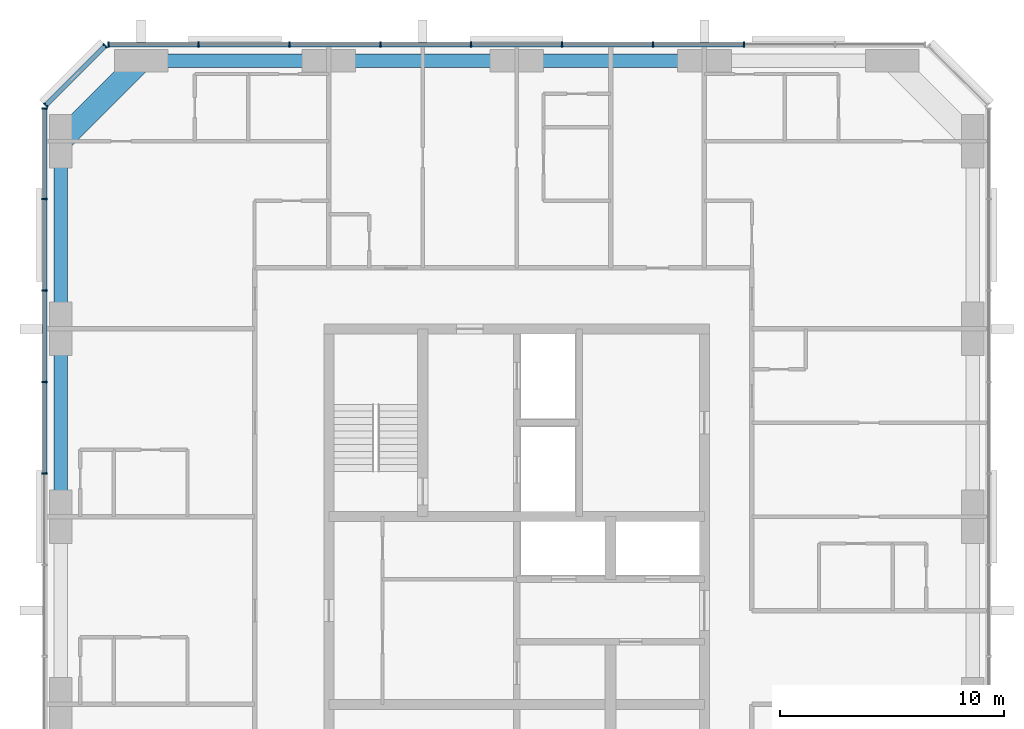
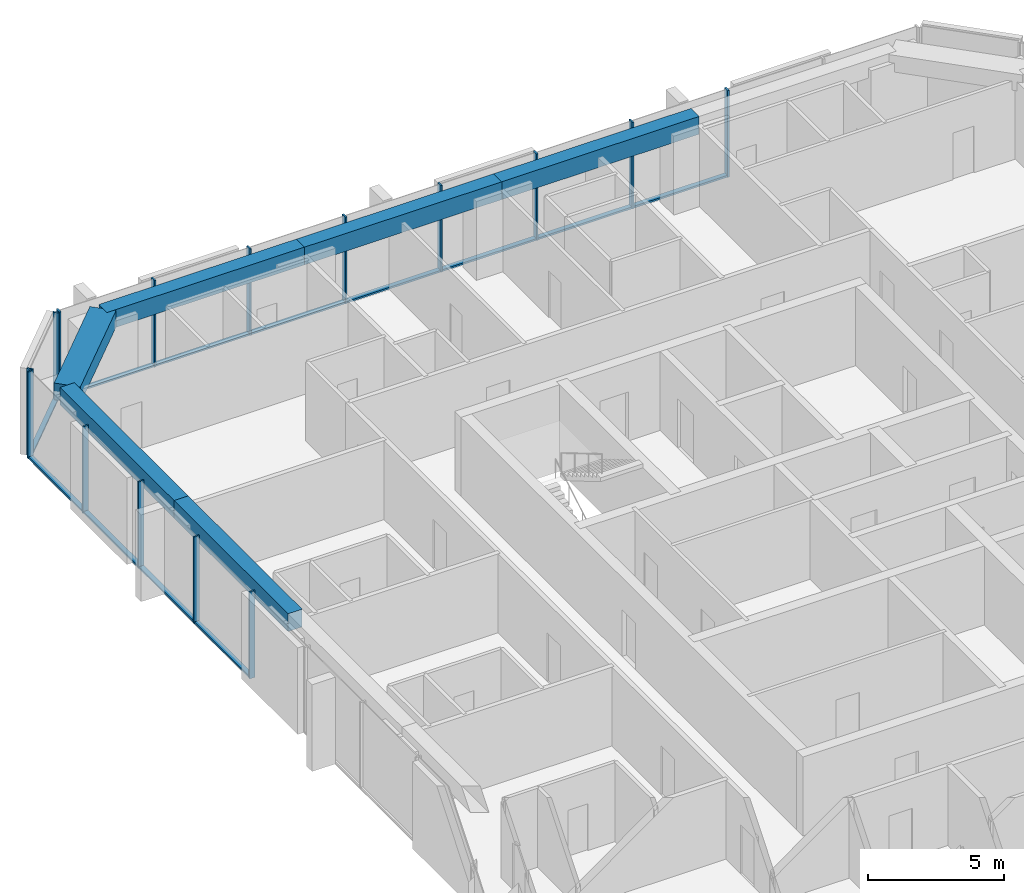
# One storey, part 4 of 12: 27 members, 6 beams, 3 elements without a shape of their own.
"""IFC4 building model written with IfcOpenShell, lengths in metres."""

from ifc_helpers import new_model, si_unit, direction, frame, origin, origin_2d, place, context, subcontext, project, spatial, rectangle, extrude, material, material_profile, profile_set, type_object, element, aggregate, save


model = new_model("IFC4")

# Units and contexts
model_context = context("Model", 3, precision=1e-05, world=origin(), true_north=direction((0.0, 1.0)))
body_context = subcontext(model_context, "Body", "Model", "MODEL_VIEW")
ifc_project = project(units=[si_unit("LENGTHUNIT", "METRE"), si_unit("AREAUNIT", "SQUARE_METRE"), si_unit("VOLUMEUNIT", "CUBIC_METRE"), si_unit("PLANEANGLEUNIT", "RADIAN"), si_unit("MASSUNIT", "GRAM", prefix="KILO")], contexts=[model_context])

# Site, building, storey
site_placement = place(None, origin())
site = spatial("IfcSite", under=ifc_project, at=site_placement, CompositionType="ELEMENT")
building_placement = place(site_placement, origin())
building = spatial("IfcBuilding", under=site, at=building_placement, Name="Dunama Terrace Hotel", CompositionType="ELEMENT")
storey_placement = place(building_placement, frame((0.0, 0.0, 245.10009765625)))
storey = spatial("IfcBuildingStorey", under=building, at=storey_placement, Name="L63", CompositionType="ELEMENT", Elevation=245.10009765625)

# Curtain wall, members
ifc_material_1 = material(Name="Aluminium curtain wall system", Category="aluminium")
curtain_wall_type = type_object("IfcCurtainWallType", Name="Unitised fritted glass wall CW-D", PredefinedType="NOTDEFINED", material=ifc_material_1)
curtain_wall_1_placement = place(storey_placement, origin())
curtain_wall_1 = element("IfcCurtainWall", 1, at=curtain_wall_1_placement, inside=storey, type_object=curtain_wall_type, Name="Unitised fritted glass wall CW-D L63", PredefinedType="NOTDEFINED")
ifc_material_2 = material(Name="Aluminium mullion", Category="aluminium")
ifc_material_profile_1 = material_profile(ifc_material_2, rectangle(XDim=0.070068359375, YDim=0.239990234375, at=origin_2d()), Name="CWD MULLION 70X240")
ifc_profile_set_1 = profile_set([ifc_material_profile_1], Name="Aluminium mullion")
member_type_1 = type_object("IfcMemberType", Name="CWD mullion 70x240", PredefinedType="MULLION", material=ifc_profile_set_1)
member_1_placement = place(storey_placement, frame((43.76708984375, 54.719970703125, 0.0), z_axis=(0.0, 0.0, 1.0), x_axis=(-1.0, 0.0, 0.0)))
member_1 = element("IfcMember", 2, at=member_1_placement, type_object=member_type_1, Name="CWD mullion", PredefinedType="MULLION", context=body_context, shape_type="SweptSolid", body=[
    extrude(rectangle(XDim=0.070068359375, YDim=0.239990234375, at=origin_2d()), origin(), (0.0, 0.0, 1.0), 3.89990234375),
])
member_2_placement = place(storey_placement, frame((39.699951171875, 54.719970703125, 0.0), z_axis=(0.0, 0.0, 1.0), x_axis=(-1.0, 0.0, 0.0)))
member_2 = element("IfcMember", 3, at=member_2_placement, type_object=member_type_1, Name="CWD mullion", PredefinedType="MULLION", context=body_context, shape_type="SweptSolid", body=[
    extrude(rectangle(XDim=0.070068359375, YDim=0.239990234375, at=origin_2d()), origin(), (0.0, 0.0, 1.0), 3.89990234375),
])
member_3_placement = place(storey_placement, frame((35.633056640625, 54.719970703125, 0.0), z_axis=(0.0, 0.0, 1.0), x_axis=(-1.0, 0.0, 0.0)))
member_3 = element("IfcMember", 4, at=member_3_placement, type_object=member_type_1, Name="CWD mullion", PredefinedType="MULLION", context=body_context, shape_type="SweptSolid", body=[
    extrude(rectangle(XDim=0.070068359375, YDim=0.239990234375, at=origin_2d()), origin(), (0.0, 0.0, 1.0), 3.89990234375),
])
member_4_placement = place(storey_placement, frame((31.56689453125, 54.719970703125, 0.0), z_axis=(0.0, 0.0, 1.0), x_axis=(-1.0, 0.0, 0.0)))
member_4 = element("IfcMember", 5, at=member_4_placement, type_object=member_type_1, Name="CWD mullion", PredefinedType="MULLION", context=body_context, shape_type="SweptSolid", body=[
    extrude(rectangle(XDim=0.070068359375, YDim=0.239990234375, at=origin_2d()), origin(), (0.0, 0.0, 1.0), 3.89990234375),
])
member_5_placement = place(storey_placement, frame((27.5, 54.719970703125, 0.0), z_axis=(0.0, 0.0, 1.0), x_axis=(-1.0, 0.0, 0.0)))
member_5 = element("IfcMember", 6, at=member_5_placement, type_object=member_type_1, Name="CWD mullion", PredefinedType="MULLION", context=body_context, shape_type="SweptSolid", body=[
    extrude(rectangle(XDim=0.070068359375, YDim=0.239990234375, at=origin_2d()), origin(), (0.0, 0.0, 1.0), 3.89990234375),
])
member_6_placement = place(storey_placement, frame((23.43310546875, 54.719970703125, 0.0), z_axis=(0.0, 0.0, 1.0), x_axis=(-1.0, 0.0, 0.0)))
member_6 = element("IfcMember", 7, at=member_6_placement, type_object=member_type_1, Name="CWD mullion", PredefinedType="MULLION", context=body_context, shape_type="SweptSolid", body=[
    extrude(rectangle(XDim=0.070068359375, YDim=0.239990234375, at=origin_2d()), origin(), (0.0, 0.0, 1.0), 3.89990234375),
])
member_7_placement = place(storey_placement, frame((19.366943359375, 54.719970703125, 0.0), z_axis=(0.0, 0.0, 1.0), x_axis=(-1.0, 0.0, 0.0)))
member_7 = element("IfcMember", 8, at=member_7_placement, type_object=member_type_1, Name="CWD mullion", PredefinedType="MULLION", context=body_context, shape_type="SweptSolid", body=[
    extrude(rectangle(XDim=0.070068359375, YDim=0.239990234375, at=origin_2d()), origin(), (0.0, 0.0, 1.0), 3.89990234375),
])
member_8_placement = place(storey_placement, frame((15.3349609375, 54.719970703125, 0.0), z_axis=(0.0, 0.0, 1.0), x_axis=(-1.0, 0.0, 0.0)))
member_8 = element("IfcMember", 9, at=member_8_placement, type_object=member_type_1, Name="CWD mullion", PredefinedType="MULLION", context=body_context, shape_type="SweptSolid", body=[
    extrude(rectangle(XDim=0.070068359375, YDim=0.239990234375, at=origin_2d()), origin(), (0.0, 0.0, 1.0), 3.89990234375),
])

curtain_wall_2_placement = place(storey_placement, origin())
curtain_wall_2 = element("IfcCurtainWall", 10, at=curtain_wall_2_placement, inside=storey, type_object=curtain_wall_type, Name="Unitised fritted glass wall CW-D L63", PredefinedType="NOTDEFINED")
member_9_placement = place(storey_placement, frame((15.18994140625, 54.659912109375, 0.0), z_axis=(0.0, 0.0, 1.0), x_axis=(-0.707106781187, -0.707106781187, 0.0)))
member_9 = element("IfcMember", 11, at=member_9_placement, type_object=member_type_1, Name="CWD mullion", PredefinedType="MULLION", context=body_context, shape_type="SweptSolid", body=[
    extrude(rectangle(XDim=0.070068359375, YDim=0.239990234375, at=origin_2d()), origin(), (0.0, 0.0, 1.0), 3.89990234375),
])
member_10_placement = place(storey_placement, frame((12.5400390625, 52.010009765625, 0.0), z_axis=(0.0, 0.0, 1.0), x_axis=(-0.707106781187, -0.707106781187, 0.0)))
member_10 = element("IfcMember", 12, at=member_10_placement, type_object=member_type_1, Name="CWD mullion", PredefinedType="MULLION", context=body_context, shape_type="SweptSolid", body=[
    extrude(rectangle(XDim=0.070068359375, YDim=0.239990234375, at=origin_2d()), origin(), (0.0, 0.0, 1.0), 3.89990234375),
])

curtain_wall_3_placement = place(storey_placement, origin())
curtain_wall_3 = element("IfcCurtainWall", 13, at=curtain_wall_3_placement, inside=storey, type_object=curtain_wall_type, Name="Unitised fritted glass wall CW-D L63", PredefinedType="NOTDEFINED")
member_11_placement = place(storey_placement, frame((12.47998046875, 51.864990234375, 0.0), z_axis=(0.0, 0.0, 1.0), x_axis=(0.0, -1.0, 0.0)))
member_11 = element("IfcMember", 14, at=member_11_placement, type_object=member_type_1, Name="CWD mullion", PredefinedType="MULLION", context=body_context, shape_type="SweptSolid", body=[
    extrude(rectangle(XDim=0.070068359375, YDim=0.239990234375, at=origin_2d()), origin(), (0.0, 0.0, 1.0), 3.89990234375),
])
member_12_placement = place(storey_placement, frame((12.47998046875, 47.80908203125, 0.0), z_axis=(0.0, 0.0, 1.0), x_axis=(0.0, -1.0, 0.0)))
member_12 = element("IfcMember", 15, at=member_12_placement, type_object=member_type_1, Name="CWD mullion", PredefinedType="MULLION", context=body_context, shape_type="SweptSolid", body=[
    extrude(rectangle(XDim=0.070068359375, YDim=0.239990234375, at=origin_2d()), origin(), (0.0, 0.0, 1.0), 3.89990234375),
])
member_13_placement = place(storey_placement, frame((12.47998046875, 43.718017578125, 0.0), z_axis=(0.0, 0.0, 1.0), x_axis=(0.0, -1.0, 0.0)))
member_13 = element("IfcMember", 16, at=member_13_placement, type_object=member_type_1, Name="CWD mullion", PredefinedType="MULLION", context=body_context, shape_type="SweptSolid", body=[
    extrude(rectangle(XDim=0.070068359375, YDim=0.239990234375, at=origin_2d()), origin(), (0.0, 0.0, 1.0), 3.89990234375),
])
member_14_placement = place(storey_placement, frame((12.47998046875, 39.626953125, 0.0), z_axis=(0.0, 0.0, 1.0), x_axis=(0.0, -1.0, 0.0)))
member_14 = element("IfcMember", 17, at=member_14_placement, type_object=member_type_1, Name="CWD mullion", PredefinedType="MULLION", context=body_context, shape_type="SweptSolid", body=[
    extrude(rectangle(XDim=0.070068359375, YDim=0.239990234375, at=origin_2d()), origin(), (0.0, 0.0, 1.0), 3.89990234375),
])
member_15_placement = place(storey_placement, frame((12.47998046875, 35.535888671875, 0.0), z_axis=(0.0, 0.0, 1.0), x_axis=(0.0, -1.0, 0.0)))
member_15 = element("IfcMember", 18, at=member_15_placement, type_object=member_type_1, Name="CWD mullion", PredefinedType="MULLION", context=body_context, shape_type="SweptSolid", body=[
    extrude(rectangle(XDim=0.070068359375, YDim=0.239990234375, at=origin_2d()), origin(), (0.0, 0.0, 1.0), 3.89990234375),
])

# Member
ifc_material_3 = material(Name="Aluminium transom", Category="aluminium")
ifc_material_profile_2 = material_profile(ifc_material_3, rectangle(XDim=0.199951171875, YDim=0.0849609375, at=origin_2d()), Name="CWD TRANSOM 200X85")
ifc_profile_set_2 = profile_set([ifc_material_profile_2], Name="Aluminium transom")
member_type_2 = type_object("IfcMemberType", Name="CWD transom 200x85", PredefinedType="USERDEFINED", material=ifc_profile_set_2)
member_16_placement = place(storey_placement, frame((43.73193359375, 54.719970703125, 0.04248046875), z_axis=(-1.0, 0.0, 0.0), x_axis=(0.0, -1.0, 0.0)))
member_16 = element("IfcMember", 19, at=member_16_placement, type_object=member_type_2, Name="CWD transom", ObjectType="TRANSOM", PredefinedType="USERDEFINED", context=body_context, shape_type="SweptSolid", body=[
    extrude(rectangle(XDim=0.199951171875, YDim=0.0849609375, at=origin_2d()), origin(), (0.0, 0.0, 1.0), 3.996826171875),
])

member_17_placement = place(storey_placement, frame((39.6650390625, 54.719970703125, 0.04248046875), z_axis=(-1.0, 0.0, 0.0), x_axis=(0.0, -1.0, 0.0)))
member_17 = element("IfcMember", 20, at=member_17_placement, type_object=member_type_2, Name="CWD transom", ObjectType="TRANSOM", PredefinedType="USERDEFINED", context=body_context, shape_type="SweptSolid", body=[
    extrude(rectangle(XDim=0.199951171875, YDim=0.0849609375, at=origin_2d()), origin(), (0.0, 0.0, 1.0), 3.9970703125),
])

member_18_placement = place(storey_placement, frame((35.597900390625, 54.719970703125, 0.04248046875), z_axis=(-1.0, 0.0, 0.0), x_axis=(0.0, -1.0, 0.0)))
member_18 = element("IfcMember", 21, at=member_18_placement, type_object=member_type_2, Name="CWD transom", ObjectType="TRANSOM", PredefinedType="USERDEFINED", context=body_context, shape_type="SweptSolid", body=[
    extrude(rectangle(XDim=0.199951171875, YDim=0.0849609375, at=origin_2d()), origin(), (0.0, 0.0, 1.0), 3.995849609375),
])

member_19_placement = place(storey_placement, frame((31.531982421875, 54.719970703125, 0.04248046875), z_axis=(-1.0, 0.0, 0.0), x_axis=(0.0, -1.0, 0.0)))
member_19 = element("IfcMember", 22, at=member_19_placement, type_object=member_type_2, Name="CWD transom", ObjectType="TRANSOM", PredefinedType="USERDEFINED", context=body_context, shape_type="SweptSolid", body=[
    extrude(rectangle(XDim=0.199951171875, YDim=0.0849609375, at=origin_2d()), origin(), (0.0, 0.0, 1.0), 3.9970703125),
])

member_20_placement = place(storey_placement, frame((27.465087890625, 54.719970703125, 0.04248046875), z_axis=(-1.0, 0.0, 0.0), x_axis=(0.0, -1.0, 0.0)))
member_20 = element("IfcMember", 23, at=member_20_placement, type_object=member_type_2, Name="CWD transom", ObjectType="TRANSOM", PredefinedType="USERDEFINED", context=body_context, shape_type="SweptSolid", body=[
    extrude(rectangle(XDim=0.199951171875, YDim=0.0849609375, at=origin_2d()), origin(), (0.0, 0.0, 1.0), 3.9970703125),
])

member_21_placement = place(storey_placement, frame((23.39794921875, 54.719970703125, 0.04248046875), z_axis=(-1.0, 0.0, 0.0), x_axis=(0.0, -1.0, 0.0)))
member_21 = element("IfcMember", 24, at=member_21_placement, type_object=member_type_2, Name="CWD transom", ObjectType="TRANSOM", PredefinedType="USERDEFINED", context=body_context, shape_type="SweptSolid", body=[
    extrude(rectangle(XDim=0.199951171875, YDim=0.0849609375, at=origin_2d()), origin(), (0.0, 0.0, 1.0), 3.995849609375),
])

member_22_placement = place(storey_placement, frame((19.33203125, 54.719970703125, 0.04248046875), z_axis=(-1.0, 0.0, 0.0), x_axis=(0.0, -1.0, 0.0)))
member_22 = element("IfcMember", 25, at=member_22_placement, type_object=member_type_2, Name="CWD transom", ObjectType="TRANSOM", PredefinedType="USERDEFINED", context=body_context, shape_type="SweptSolid", body=[
    extrude(rectangle(XDim=0.199951171875, YDim=0.0849609375, at=origin_2d()), origin(), (0.0, 0.0, 1.0), 3.9619140625),
])

aggregate(curtain_wall_1, [member_1, member_2, member_3, member_4, member_5, member_6, member_7, member_8, member_16, member_17, member_18, member_19, member_20, member_21, member_22])

member_23_placement = place(storey_placement, frame((15.166015625, 54.635009765625, 0.04248046875), z_axis=(-0.707106781187, -0.707106781187, 0.0), x_axis=(0.707106781187, -0.707106781187, 0.0)))
member_23 = element("IfcMember", 26, at=member_23_placement, type_object=member_type_2, Name="CWD transom", ObjectType="TRANSOM", PredefinedType="USERDEFINED", context=body_context, shape_type="SweptSolid", body=[
    extrude(rectangle(XDim=0.199951171875, YDim=0.0849609375, at=origin_2d()), origin(), (0.0, 0.0, 1.0), 3.678466796875),
])

aggregate(curtain_wall_2, [member_9, member_10, member_23])

member_24_placement = place(storey_placement, frame((12.47998046875, 51.830078125, 0.04248046875), z_axis=(0.0, -1.0, 0.0), x_axis=(1.0, 0.0, 0.0)))
member_24 = element("IfcMember", 27, at=member_24_placement, type_object=member_type_2, Name="CWD transom", ObjectType="TRANSOM", PredefinedType="USERDEFINED", context=body_context, shape_type="SweptSolid", body=[
    extrude(rectangle(XDim=0.199951171875, YDim=0.0849609375, at=origin_2d()), origin(), (0.0, 0.0, 1.0), 3.986083984375),
])

member_25_placement = place(storey_placement, frame((12.47998046875, 47.77392578125, 0.04248046875), z_axis=(0.0, -1.0, 0.0), x_axis=(1.0, 0.0, 0.0)))
member_25 = element("IfcMember", 28, at=member_25_placement, type_object=member_type_2, Name="CWD transom", ObjectType="TRANSOM", PredefinedType="USERDEFINED", context=body_context, shape_type="SweptSolid", body=[
    extrude(rectangle(XDim=0.199951171875, YDim=0.0849609375, at=origin_2d()), origin(), (0.0, 0.0, 1.0), 4.02099609375),
])

member_26_placement = place(storey_placement, frame((12.47998046875, 43.68310546875, 0.04248046875), z_axis=(0.0, -1.0, 0.0), x_axis=(1.0, 0.0, 0.0)))
member_26 = element("IfcMember", 29, at=member_26_placement, type_object=member_type_2, Name="CWD transom", ObjectType="TRANSOM", PredefinedType="USERDEFINED", context=body_context, shape_type="SweptSolid", body=[
    extrude(rectangle(XDim=0.199951171875, YDim=0.0849609375, at=origin_2d()), origin(), (0.0, 0.0, 1.0), 4.02099609375),
])

member_27_placement = place(storey_placement, frame((12.47998046875, 39.592041015625, 0.04248046875), z_axis=(0.0, -1.0, 0.0), x_axis=(1.0, 0.0, 0.0)))
member_27 = element("IfcMember", 30, at=member_27_placement, type_object=member_type_2, Name="CWD transom", ObjectType="TRANSOM", PredefinedType="USERDEFINED", context=body_context, shape_type="SweptSolid", body=[
    extrude(rectangle(XDim=0.199951171875, YDim=0.0849609375, at=origin_2d()), origin(), (0.0, 0.0, 1.0), 4.02099609375),
])

aggregate(curtain_wall_3, [member_11, member_12, member_13, member_14, member_15, member_24, member_25, member_26, member_27])

# Beams
ifc_material_4 = material(Name="Concrete C50/60", Category="concrete")
ifc_material_profile_3 = material_profile(ifc_material_4, rectangle(XDim=1.0, YDim=0.75, at=origin_2d()), Name="RC 1000x750")
ifc_profile_set_3 = profile_set([ifc_material_profile_3], Name="Concrete C50/60")
beam_type_1 = type_object("IfcBeamType", Name="Edge beam RC 1000x750", PredefinedType="SPANDREL", material=ifc_profile_set_3)
beam_1_placement = place(storey_placement, frame((16.800048828125, 54.0, 3.52490234375), z_axis=(-0.707106781187, -0.707106781187, 0.0), x_axis=(0.707106781187, -0.707106781187, 0.0)))
element("IfcBeam", 31, at=beam_1_placement, inside=storey, type_object=beam_type_1, Name="Corner edge beam under L64", PredefinedType="SPANDREL", context=body_context, shape_type="SweptSolid", body=[
    extrude(rectangle(XDim=1.0, YDim=0.75, at=origin_2d()), origin(), (0.0, 0.0, 1.0), 5.09130859375),
])
ifc_material_5 = material(Name="Concrete C40/50", Category="concrete")
ifc_material_profile_4 = material_profile(ifc_material_5, rectangle(XDim=0.60009765625, YDim=0.800048828125, at=origin_2d()), Name="RC 600x800")
ifc_profile_set_4 = profile_set([ifc_material_profile_4], Name="Concrete C40/50")
beam_type_2 = type_object("IfcBeamType", Name="Edge beam RC 600x800", PredefinedType="SPANDREL", material=ifc_profile_set_4)
for number, where, z_axis, x_axis, name in (
    (32, (13.199951171875, 33.60009765625, 3.5), (0.0, 1.0, 0.0), (-1.0, 0.0, 0.0), "Edge beam under L64"),
    (33, (13.199951171875, 42.0, 3.5), (0.0, 1.0, 0.0), (-1.0, 0.0, 0.0), "Edge beam under L64"),
    (34, (16.800048828125, 54.0, 3.5), (1.0, 0.0, 0.0), (0.0, 1.0, 0.0), "Edge beam under L64"),
):
    element("IfcBeam", number, at=place(storey_placement, frame(where, z_axis=z_axis, x_axis=x_axis)), inside=storey, type_object=beam_type_2, Name=name, PredefinedType="SPANDREL", context=body_context, shape_type="SweptSolid", body=[
        extrude(rectangle(XDim=0.60009765625, YDim=0.800048828125, at=origin_2d()), origin(), (0.0, 0.0, 1.0), 8.39990234375),
    ])
beam_2_placement = place(storey_placement, frame((25.199951171875, 54.0, 3.5), z_axis=(1.0, 0.0, 0.0), x_axis=(0.0, 1.0, 0.0)))
element("IfcBeam", 35, at=beam_2_placement, inside=storey, type_object=beam_type_2, Name="Edge beam under L64", PredefinedType="SPANDREL", context=body_context, shape_type="SweptSolid", body=[
    extrude(rectangle(XDim=0.60009765625, YDim=0.800048828125, at=origin_2d()), origin(), (0.0, 0.0, 1.0), 8.400146484375),
])
beam_3_placement = place(storey_placement, frame((33.60009765625, 54.0, 3.5), z_axis=(1.0, 0.0, 0.0), x_axis=(0.0, 1.0, 0.0)))
element("IfcBeam", 36, at=beam_3_placement, inside=storey, type_object=beam_type_2, Name="Edge beam under L64", PredefinedType="SPANDREL", context=body_context, shape_type="SweptSolid", body=[
    extrude(rectangle(XDim=0.60009765625, YDim=0.800048828125, at=origin_2d()), origin(), (0.0, 0.0, 1.0), 8.39990234375),
])

save(model, "model.ifc")
